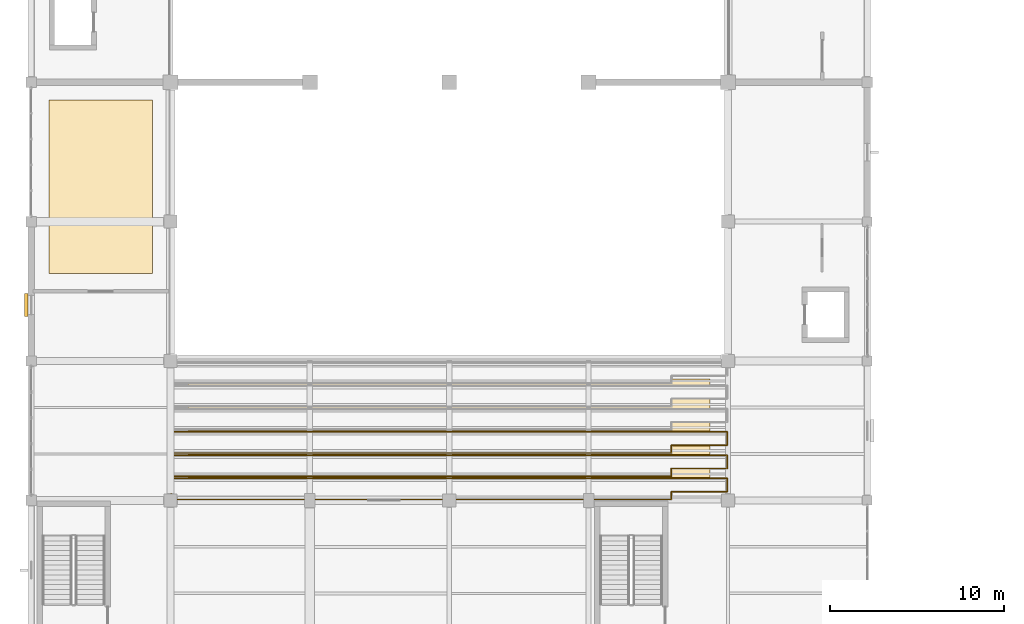
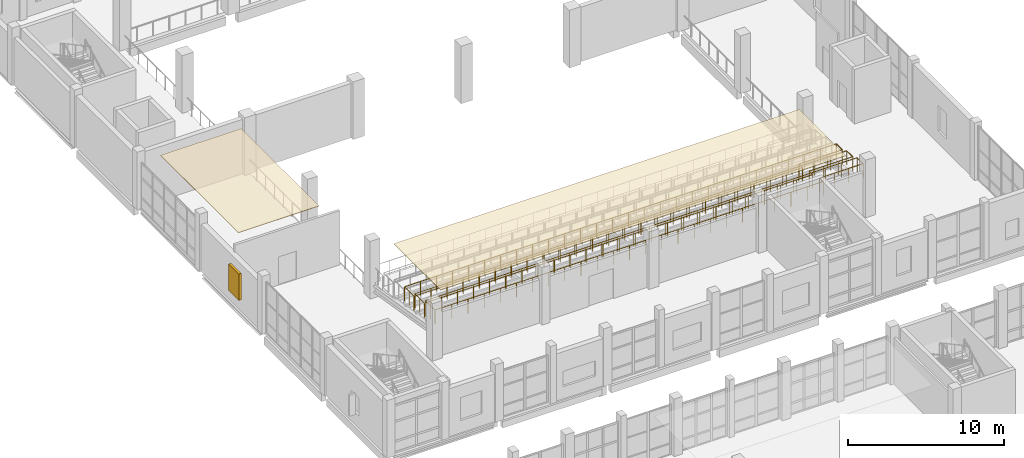
# One storey, part 168 of 183: 3 railings, 2 coverings, 1 shading device.
"""IFC4 building model written with IfcOpenShell, lengths in metres."""

import ifcopenshell
import ifcopenshell.guid

model = None  # the IFC model being written
_history = None  # IfcOwnerHistory: only IFC2X3 demands one
_inside = {}  # id of a spatial element -> (the spatial element, [elements in it])
_under = {}  # id of a project, library or spatial element -> (it, [spatial elements below it])
_declared = {}  # id of a project -> (the project, [libraries it declares])
_typed = {}  # id of a type object -> (the type object, [elements of that type])
_made_of = {}  # id of a material, layer set ... -> (it, [elements and type objects made of it])


def new_model(schema):
    """Start an empty IFC model of exactly this schema.

    Asked for "IFC4X3", IfcOpenShell would pick the latest addendum, in which some entities
    have other attributes; the version numbers below select the first issue.
    IFC2X3 requires an IfcOwnerHistory on every rooted entity: one is made here for all.
    """
    global model, _history
    if schema == "IFC4X3":
        model = ifcopenshell.file(schema_version=(4, 3, 0, 0))
    else:
        model = ifcopenshell.file(schema=schema)
    _inside.clear()
    _under.clear()
    _declared.clear()
    _typed.clear()
    _made_of.clear()
    _history = None
    if model.schema == "IFC2X3":
        org = make("IfcOrganization", Name="unknown")
        user = make(
            "IfcPersonAndOrganization",
            ThePerson=make("IfcPerson", FamilyName="unknown"),
            TheOrganization=org,
        )
        app = make(
            "IfcApplication",
            ApplicationDeveloper=org,
            Version="unknown",
            ApplicationFullName="unknown",
            ApplicationIdentifier="unknown",
        )
        _history = make(
            "IfcOwnerHistory",
            OwningUser=user,
            OwningApplication=app,
            ChangeAction="ADDED",
            CreationDate=0,
        )
    return model


def make(cls, **values):
    """One entity of the class cls with the attributes given. An attribute that is None is left unset."""
    return model.create_entity(
        cls, **{name: value for name, value in values.items() if value is not None}
    )


def rooted(cls, **values):
    """An entity with a GlobalId (a new one), such as an element, a storey or a relation."""
    return make(cls, GlobalId=ifcopenshell.guid.new(), OwnerHistory=_history, **values)


def si_unit(unit_type, name, prefix=None):
    """IfcSIUnit, for example si_unit("LENGTHUNIT", "METRE", prefix="MILLI")."""
    return make("IfcSIUnit", UnitType=unit_type, Prefix=prefix, Name=name)


def assignment(units):
    """IfcUnitAssignment: the units of a project."""
    return None if units is None else make("IfcUnitAssignment", Units=units)


def point(xyz):
    """IfcCartesianPoint."""
    return None if xyz is None else make("IfcCartesianPoint", Coordinates=xyz)


def direction(xyz):
    """IfcDirection."""
    return None if xyz is None else make("IfcDirection", DirectionRatios=xyz)


def frame(location, z_axis=None, x_axis=None):
    """IfcAxis2Placement3D, a coordinate frame: its origin and axes. An axis left out is left unset."""
    return make(
        "IfcAxis2Placement3D",
        Location=point(location),
        Axis=direction(z_axis),
        RefDirection=direction(x_axis),
    )


def frame_2d(location, x_axis=None):
    """IfcAxis2Placement2D, a coordinate frame in the plane: its origin and x axis."""
    return make(
        "IfcAxis2Placement2D", Location=point(location), RefDirection=direction(x_axis)
    )


def origin():
    """The frame at (0, 0, 0) with its axes left unset."""
    return frame((0.0, 0.0, 0.0))


def origin_2d():
    """The frame at (0, 0) in the plane with its x axis left unset."""
    return frame_2d((0.0, 0.0))


def place(relative_to, where):
    """IfcLocalPlacement: puts the frame where relative to a parent placement (None: the world)."""
    return make(
        "IfcLocalPlacement", PlacementRelTo=relative_to, RelativePlacement=where
    )


def context(
    kind, dimensions, precision=None, world=None, true_north=None, identifier=None
):
    """IfcGeometricRepresentationContext, for example the 3D "Model" context."""
    return make(
        "IfcGeometricRepresentationContext",
        ContextIdentifier=identifier,
        ContextType=kind,
        CoordinateSpaceDimension=dimensions,
        Precision=precision,
        WorldCoordinateSystem=world,
        TrueNorth=true_north,
    )


def subcontext(parent, identifier, kind, view, scale=None):
    """IfcGeometricRepresentationSubContext, for example "Body" below "Model"."""
    return make(
        "IfcGeometricRepresentationSubContext",
        ContextIdentifier=identifier,
        ContextType=kind,
        ParentContext=parent,
        TargetScale=scale,
        TargetView=view,
    )


def project(units=None, contexts=None):
    """IfcProject with its units and contexts."""
    return rooted(
        "IfcProject",
        Name="project",
        RepresentationContexts=contexts,
        UnitsInContext=assignment(units),
    )


def spatial(cls, under=None, at=None, **own):
    """A site, building, storey or space (cls), placed at a placement, below another one or the project."""
    s = rooted(cls, ObjectPlacement=at, **own)
    if under is not None:
        _under.setdefault(under.id(), (under, []))[1].append(s)
    return s


def polyline(points):
    """IfcPolyline through the points."""
    return make("IfcPolyline", Points=[point(p) for p in points])


def profile(cls, at=None, kind="AREA", **sizes):
    """A parametric profile (cls). Its sizes go by their IFC names, for example OverallWidth=200.0."""
    return make(cls, ProfileType=kind, Position=at, **sizes)


def rectangle(**sizes):
    """IfcRectangleProfileDef."""
    return profile("IfcRectangleProfileDef", **sizes)


def circle(**sizes):
    """IfcCircleProfileDef."""
    return profile("IfcCircleProfileDef", **sizes)


def outline(outer, holes=None, kind="AREA"):
    """IfcArbitraryClosedProfileDef: a profile drawn as a closed curve; with holes, ...WithVoids."""
    if holes is None:
        return make("IfcArbitraryClosedProfileDef", ProfileType=kind, OuterCurve=outer)
    return make(
        "IfcArbitraryProfileDefWithVoids",
        ProfileType=kind,
        OuterCurve=outer,
        InnerCurves=holes,
    )


def extrude(swept, where, along, depth):
    """IfcExtrudedAreaSolid: the profile swept, set in the frame where, extruded along a direction by depth."""
    return make(
        "IfcExtrudedAreaSolid",
        SweptArea=swept,
        Position=where,
        ExtrudedDirection=direction(along),
        Depth=depth,
    )


def shape(context_of_items, identifier, shape_type, items):
    """IfcShapeRepresentation: the items that make up one representation, for example the "Body"."""
    return make(
        "IfcShapeRepresentation",
        ContextOfItems=context_of_items,
        RepresentationIdentifier=identifier,
        RepresentationType=shape_type,
        Items=items,
    )


def material(Name=None, Category=None):
    """IfcMaterial."""
    return make("IfcMaterial", Name=Name, Category=Category)


def layer(
    of_material, thickness, ventilated=None, Name=None, Category=None, Priority=None
):
    """IfcMaterialLayer: one layer of a wall or slab, of a material (None: an air gap)."""
    return make(
        "IfcMaterialLayer",
        Material=of_material,
        LayerThickness=thickness,
        IsVentilated=ventilated,
        Name=Name,
        Category=Category,
        Priority=Priority,
    )


def layer_set(layers, Name=None):
    """IfcMaterialLayerSet."""
    return make("IfcMaterialLayerSet", MaterialLayers=layers, LayerSetName=Name)


def made_of(thing, what):
    """Note that an element or type object is made of a material, layer set ...; save() writes the relation."""
    if what is not None:
        _made_of.setdefault(what.id(), (what, []))[1].append(thing)
    return thing


def type_object(cls, material=None, **own):
    """A type object (cls), such as IfcWallType, which elements share."""
    return made_of(rooted(cls, **own), material)


def element(
    cls,
    number,
    at=None,
    inside=None,
    cuts=None,
    type_object=None,
    material=None,
    context=None,
    identifier="Body",
    shape_type=None,
    held_by="IfcProductDefinitionShape",
    body=None,
    shapes=None,
    **own,
):
    """One element of the class cls, such as IfcWall. Its Tag is "e" and its number.

    at: its placement. inside: the storey or other place that contains it. cuts: it is an
    opening in that element (IfcRelVoidsElement). A single representation is given by context,
    identifier, shape_type and body (its items); several are given by shapes. held_by: the class
    of the entity that holds the representations. save() writes the other relations.
    """
    e = rooted(cls, Tag="e%d" % number, ObjectPlacement=at, **own)
    if body is not None:
        shapes = [shape(context, identifier, shape_type, body)]
    if shapes is not None:
        e.Representation = make(held_by, Representations=shapes)
    if inside is not None:
        _inside.setdefault(inside.id(), (inside, []))[1].append(e)
    if cuts is not None:
        rooted(
            "IfcRelVoidsElement", RelatingBuildingElement=cuts, RelatedOpeningElement=e
        )
    if type_object is not None:
        _typed.setdefault(type_object.id(), (type_object, []))[1].append(e)
    return made_of(e, material)


def aggregate(whole, parts):
    """IfcRelAggregates: a whole, such as a stair, and the parts it consists of."""
    return rooted("IfcRelAggregates", RelatingObject=whole, RelatedObjects=parts)


def save(model, path):
    """Write the relations noted so far, then the file.

    IfcRelAggregates (storeys below a building ...), IfcRelContainedInSpatialStructure (elements
    in a storey), IfcRelDefinesByType, IfcRelAssociatesMaterial and IfcRelDeclares: one each for
    every whole, place, type object, material and project.
    """
    for whole, parts in _under.values():
        aggregate(whole, parts)
    for where, things in _inside.values():
        rooted(
            "IfcRelContainedInSpatialStructure",
            RelatedElements=things,
            RelatingStructure=where,
        )
    for kind, things in _typed.values():
        rooted("IfcRelDefinesByType", RelatedObjects=things, RelatingType=kind)
    for what, things in _made_of.values():
        rooted("IfcRelAssociatesMaterial", RelatedObjects=things, RelatingMaterial=what)
    for by, libraries in _declared.values():
        rooted("IfcRelDeclares", RelatingContext=by, RelatedDefinitions=libraries)
    model.write(path)


model = new_model("IFC4")

# Units and contexts
model_context = context("Model", 3, precision=1e-05, world=origin(), true_north=direction((0.0, 1.0)))
body_context = subcontext(model_context, "Body", "Model", "MODEL_VIEW")
ifc_project = project(units=[si_unit("LENGTHUNIT", "METRE"), si_unit("AREAUNIT", "SQUARE_METRE"), si_unit("VOLUMEUNIT", "CUBIC_METRE"), si_unit("PLANEANGLEUNIT", "RADIAN"), si_unit("MASSUNIT", "GRAM", prefix="KILO")], contexts=[model_context])

# Site, building, storey
site_placement = place(None, origin())
site = spatial("IfcSite", under=ifc_project, at=site_placement, CompositionType="ELEMENT")
building_placement = place(site_placement, origin())
building = spatial("IfcBuilding", under=site, at=building_placement, Name="Luwemba Playhouse", CompositionType="ELEMENT")
storey_placement = place(building_placement, frame((0.0, 0.0, 4.800048828125)))
storey = spatial("IfcBuildingStorey", under=building, at=storey_placement, Name="L01", CompositionType="ELEMENT", Elevation=4.800048828125)

# Coverings
ifc_material_1 = material(Name="Perforated acoustic gypsum and timber baffle ceiling", Category="wood")
ifc_layer = layer(ifc_material_1, 0.044921875)
ifc_layer_set = layer_set([ifc_layer], Name="Perforated acoustic gypsum and timber baffle ceiling")
covering_type = type_object("IfcCoveringType", Name="COV-CEIL-AC", PredefinedType="CEILING", material=ifc_layer_set)
covering_1_placement = place(storey_placement, frame((0.0, 0.0, 4.204833984375)))
element("IfcCovering", 1, at=covering_1_placement, inside=storey, type_object=covering_type, Name="L01 Dress Circle Seating Tier acoustic ceiling cloud", PredefinedType="CEILING", context=body_context, shape_type="SweptSolid", body=[
    extrude(outline(polyline([(13.02001953125, 45.02001953125), (42.97998046875, 45.02001953125), (42.97998046875, 50.97998046875), (13.02001953125, 50.97998046875), (13.02001953125, 45.02001953125)])), origin(), (0.0, 0.0, 1.0), 0.045166015625),
])
covering_2_placement = place(storey_placement, frame((0.0, 0.0, 4.204833984375)))
element("IfcCovering", 2, at=covering_2_placement, inside=storey, type_object=covering_type, Name="L01 Main Theatre Lighting and Sound Control Suite acoustic ceiling cloud", PredefinedType="CEILING", context=body_context, shape_type="SweptSolid", body=[
    extrude(outline(polyline([(5.02001953125, 57.02001953125), (10.97998046875, 57.02001953125), (10.97998046875, 66.97998046875), (5.02001953125, 66.97998046875), (5.02001953125, 57.02001953125)])), origin(), (0.0, 0.0, 1.0), 0.045166015625),
])

# Railings
ifc_material_2 = material(Name="Painted wrought-iron gallery balustrade", Category="steel")
railing_type = type_object("IfcRailingType", Name="RLG-BAL-INT", PredefinedType="BALUSTRADE", material=ifc_material_2)
railing_1_placement = place(storey_placement, frame((12.050048828125, 44.050048828125, 2.5)))
element("IfcRailing", 3, at=railing_1_placement, inside=storey, type_object=railing_type, Name="Stand Dress Circle Bay 1 perimeter balustrade", PredefinedType="BALUSTRADE", context=body_context, shape_type="SweptSolid", body=[
    extrude(circle(Radius=0.02392578125, at=origin_2d()), frame((0.0, 0.0, 1.09619140625), z_axis=(0.0, 1.0, 0.0), x_axis=(-1.0, 0.0, 0.0)), (0.0, 0.0, 1.0), 1.213134765625),
    extrude(circle(Radius=0.02392578125, at=origin_2d()), frame((0.0, 1.213134765625, 1.09619140625), z_axis=(1.0, 0.0, 0.0), x_axis=(0.0, 1.0, 0.0)), (0.0, 0.0, 1.0), 31.89990234375),
    extrude(circle(Radius=0.02392578125, at=origin_2d()), frame((31.89990234375, 1.213134765625, 1.09619140625), z_axis=(0.0, -1.0, 0.0), x_axis=(1.0, 0.0, 0.0)), (0.0, 0.0, 1.0), 0.76318359375),
    extrude(circle(Radius=0.02392578125, at=origin_2d()), frame((31.89990234375, 0.449951171875, 1.09619140625), z_axis=(-1.0, 0.0, 0.0), x_axis=(0.0, -1.0, 0.0)), (0.0, 0.0, 1.0), 3.199951171875),
    extrude(circle(Radius=0.02392578125, at=origin_2d()), frame((28.699951171875, 0.449951171875, 1.09619140625), z_axis=(0.0, -1.0, 0.0), x_axis=(1.0, 0.0, 0.0)), (0.0, 0.0, 1.0), 0.449951171875),
    extrude(circle(Radius=0.02392578125, at=origin_2d()), frame((28.699951171875, 0.0, 1.09619140625), z_axis=(-1.0, 0.0, 0.0), x_axis=(0.0, -1.0, 0.0)), (0.0, 0.0, 1.0), 28.639892578125),
    extrude(circle(Radius=0.02099609375, at=origin_2d()), origin(), (0.0, 0.0, 1.0), 1.072021484375),
    extrude(circle(Radius=0.02099609375, at=origin_2d()), frame((0.0, 0.6064453125, 0.0)), (0.0, 0.0, 1.0), 1.072021484375),
    extrude(circle(Radius=0.02099609375, at=origin_2d()), frame((0.0, 1.213134765625, 0.0)), (0.0, 0.0, 1.0), 1.072021484375),
    extrude(circle(Radius=0.02099609375, at=origin_2d()), frame((1.181396484375, 1.213134765625, 0.0)), (0.0, 0.0, 1.0), 1.072021484375),
    extrude(circle(Radius=0.02099609375, at=origin_2d()), frame((2.363037109375, 1.213134765625, 0.0)), (0.0, 0.0, 1.0), 1.072021484375),
    extrude(circle(Radius=0.02099609375, at=origin_2d()), frame((3.54443359375, 1.213134765625, 0.0)), (0.0, 0.0, 1.0), 1.072021484375),
    extrude(circle(Radius=0.02099609375, at=origin_2d()), frame((4.725830078125, 1.213134765625, 0.0)), (0.0, 0.0, 1.0), 1.072021484375),
    extrude(circle(Radius=0.02099609375, at=origin_2d()), frame((5.907470703125, 1.213134765625, 0.0)), (0.0, 0.0, 1.0), 1.072021484375),
    extrude(circle(Radius=0.02099609375, at=origin_2d()), frame((7.0888671875, 1.213134765625, 0.0)), (0.0, 0.0, 1.0), 1.072021484375),
    extrude(circle(Radius=0.02099609375, at=origin_2d()), frame((8.270263671875, 1.213134765625, 0.0)), (0.0, 0.0, 1.0), 1.072021484375),
    extrude(circle(Radius=0.02099609375, at=origin_2d()), frame((9.451904296875, 1.213134765625, 0.0)), (0.0, 0.0, 1.0), 1.072021484375),
    extrude(circle(Radius=0.02099609375, at=origin_2d()), frame((10.63330078125, 1.213134765625, 0.0)), (0.0, 0.0, 1.0), 1.072021484375),
    extrude(circle(Radius=0.02099609375, at=origin_2d()), frame((11.814697265625, 1.213134765625, 0.0)), (0.0, 0.0, 1.0), 1.072021484375),
    extrude(circle(Radius=0.02099609375, at=origin_2d()), frame((12.996337890625, 1.213134765625, 0.0)), (0.0, 0.0, 1.0), 1.072021484375),
    extrude(circle(Radius=0.02099609375, at=origin_2d()), frame((14.177734375, 1.213134765625, 0.0)), (0.0, 0.0, 1.0), 1.072021484375),
    extrude(circle(Radius=0.02099609375, at=origin_2d()), frame((15.359130859375, 1.213134765625, 0.0)), (0.0, 0.0, 1.0), 1.072021484375),
    extrude(circle(Radius=0.02099609375, at=origin_2d()), frame((16.540771484375, 1.213134765625, 0.0)), (0.0, 0.0, 1.0), 1.072021484375),
    extrude(circle(Radius=0.02099609375, at=origin_2d()), frame((17.72216796875, 1.213134765625, 0.0)), (0.0, 0.0, 1.0), 1.072021484375),
    extrude(circle(Radius=0.02099609375, at=origin_2d()), frame((18.903564453125, 1.213134765625, 0.0)), (0.0, 0.0, 1.0), 1.072021484375),
    extrude(circle(Radius=0.02099609375, at=origin_2d()), frame((20.085205078125, 1.213134765625, 0.0)), (0.0, 0.0, 1.0), 1.072021484375),
    extrude(circle(Radius=0.02099609375, at=origin_2d()), frame((21.2666015625, 1.213134765625, 0.0)), (0.0, 0.0, 1.0), 1.072021484375),
    extrude(circle(Radius=0.02099609375, at=origin_2d()), frame((22.447998046875, 1.213134765625, 0.0)), (0.0, 0.0, 1.0), 1.072021484375),
    extrude(circle(Radius=0.02099609375, at=origin_2d()), frame((23.629638671875, 1.213134765625, 0.0)), (0.0, 0.0, 1.0), 1.072021484375),
    extrude(circle(Radius=0.02099609375, at=origin_2d()), frame((24.81103515625, 1.213134765625, 0.0)), (0.0, 0.0, 1.0), 1.072021484375),
    extrude(circle(Radius=0.02099609375, at=origin_2d()), frame((25.992431640625, 1.213134765625, 0.0)), (0.0, 0.0, 1.0), 1.072021484375),
    extrude(circle(Radius=0.02099609375, at=origin_2d()), frame((27.174072265625, 1.213134765625, 0.0)), (0.0, 0.0, 1.0), 1.072021484375),
    extrude(circle(Radius=0.02099609375, at=origin_2d()), frame((28.35546875, 1.213134765625, 0.0)), (0.0, 0.0, 1.0), 1.072021484375),
    extrude(circle(Radius=0.02099609375, at=origin_2d()), frame((29.536865234375, 1.213134765625, 0.0)), (0.0, 0.0, 1.0), 1.072021484375),
    extrude(circle(Radius=0.02099609375, at=origin_2d()), frame((30.718505859375, 1.213134765625, 0.0)), (0.0, 0.0, 1.0), 1.072021484375),
    extrude(circle(Radius=0.02099609375, at=origin_2d()), frame((31.89990234375, 1.213134765625, 0.0)), (0.0, 0.0, 1.0), 1.072021484375),
    extrude(circle(Radius=0.02099609375, at=origin_2d()), frame((31.89990234375, 0.449951171875, 0.0)), (0.0, 0.0, 1.0), 1.072021484375),
    extrude(circle(Radius=0.02099609375, at=origin_2d()), frame((30.833251953125, 0.449951171875, 0.0)), (0.0, 0.0, 1.0), 1.072021484375),
    extrude(circle(Radius=0.02099609375, at=origin_2d()), frame((29.7666015625, 0.449951171875, 0.0)), (0.0, 0.0, 1.0), 1.072021484375),
    extrude(circle(Radius=0.02099609375, at=origin_2d()), frame((28.699951171875, 0.449951171875, 0.0)), (0.0, 0.0, 1.0), 1.072021484375),
    extrude(circle(Radius=0.02099609375, at=origin_2d()), frame((28.699951171875, 0.0, 0.0)), (0.0, 0.0, 1.0), 1.072021484375),
    extrude(circle(Radius=0.02099609375, at=origin_2d()), frame((27.506591796875, 0.0, 0.0)), (0.0, 0.0, 1.0), 1.072021484375),
    extrude(circle(Radius=0.02099609375, at=origin_2d()), frame((26.313232421875, 0.0, 0.0)), (0.0, 0.0, 1.0), 1.072021484375),
    extrude(circle(Radius=0.02099609375, at=origin_2d()), frame((25.119873046875, 0.0, 0.0)), (0.0, 0.0, 1.0), 1.072021484375),
    extrude(circle(Radius=0.02099609375, at=origin_2d()), frame((23.9267578125, 0.0, 0.0)), (0.0, 0.0, 1.0), 1.072021484375),
    extrude(circle(Radius=0.02099609375, at=origin_2d()), frame((22.7333984375, 0.0, 0.0)), (0.0, 0.0, 1.0), 1.072021484375),
    extrude(circle(Radius=0.02099609375, at=origin_2d()), frame((21.5400390625, 0.0, 0.0)), (0.0, 0.0, 1.0), 1.072021484375),
    extrude(circle(Radius=0.02099609375, at=origin_2d()), frame((20.3466796875, 0.0, 0.0)), (0.0, 0.0, 1.0), 1.072021484375),
    extrude(circle(Radius=0.02099609375, at=origin_2d()), frame((19.1533203125, 0.0, 0.0)), (0.0, 0.0, 1.0), 1.072021484375),
    extrude(circle(Radius=0.02099609375, at=origin_2d()), frame((17.9599609375, 0.0, 0.0)), (0.0, 0.0, 1.0), 1.072021484375),
    extrude(circle(Radius=0.02099609375, at=origin_2d()), frame((16.7666015625, 0.0, 0.0)), (0.0, 0.0, 1.0), 1.072021484375),
    extrude(circle(Radius=0.02099609375, at=origin_2d()), frame((15.5732421875, 0.0, 0.0)), (0.0, 0.0, 1.0), 1.072021484375),
    extrude(circle(Radius=0.02099609375, at=origin_2d()), frame((14.3798828125, 0.0, 0.0)), (0.0, 0.0, 1.0), 1.072021484375),
    extrude(circle(Radius=0.02099609375, at=origin_2d()), frame((13.186767578125, 0.0, 0.0)), (0.0, 0.0, 1.0), 1.072021484375),
    extrude(circle(Radius=0.02099609375, at=origin_2d()), frame((11.993408203125, 0.0, 0.0)), (0.0, 0.0, 1.0), 1.072021484375),
    extrude(circle(Radius=0.02099609375, at=origin_2d()), frame((10.800048828125, 0.0, 0.0)), (0.0, 0.0, 1.0), 1.072021484375),
    extrude(circle(Radius=0.02099609375, at=origin_2d()), frame((9.606689453125, 0.0, 0.0)), (0.0, 0.0, 1.0), 1.072021484375),
    extrude(circle(Radius=0.02099609375, at=origin_2d()), frame((8.413330078125, 0.0, 0.0)), (0.0, 0.0, 1.0), 1.072021484375),
    extrude(circle(Radius=0.02099609375, at=origin_2d()), frame((7.219970703125, 0.0, 0.0)), (0.0, 0.0, 1.0), 1.072021484375),
    extrude(circle(Radius=0.02099609375, at=origin_2d()), frame((6.026611328125, 0.0, 0.0)), (0.0, 0.0, 1.0), 1.072021484375),
    extrude(circle(Radius=0.02099609375, at=origin_2d()), frame((4.83349609375, 0.0, 0.0)), (0.0, 0.0, 1.0), 1.072021484375),
    extrude(circle(Radius=0.02099609375, at=origin_2d()), frame((3.64013671875, 0.0, 0.0)), (0.0, 0.0, 1.0), 1.072021484375),
    extrude(circle(Radius=0.02099609375, at=origin_2d()), frame((2.44677734375, 0.0, 0.0)), (0.0, 0.0, 1.0), 1.072021484375),
    extrude(circle(Radius=0.02099609375, at=origin_2d()), frame((1.25341796875, 0.0, 0.0)), (0.0, 0.0, 1.0), 1.072021484375),
    extrude(circle(Radius=0.02099609375, at=origin_2d()), frame((0.06005859375, 0.0, 0.0)), (0.0, 0.0, 1.0), 1.072021484375),
])
railing_2_placement = place(storey_placement, frame((12.050048828125, 45.38330078125, 2.233154296875)))
element("IfcRailing", 4, at=railing_2_placement, inside=storey, type_object=railing_type, Name="Stand Dress Circle Bay 2 perimeter balustrade", PredefinedType="BALUSTRADE", context=body_context, shape_type="SweptSolid", body=[
    extrude(circle(Radius=0.02392578125, at=origin_2d()), frame((0.0, 0.0, 1.09619140625), z_axis=(0.0, 1.0, 0.0), x_axis=(-1.0, 0.0, 0.0)), (0.0, 0.0, 1.0), 1.21337890625),
    extrude(circle(Radius=0.02392578125, at=origin_2d()), frame((0.0, 1.21337890625, 1.09619140625), z_axis=(1.0, 0.0, 0.0), x_axis=(0.0, 1.0, 0.0)), (0.0, 0.0, 1.0), 31.89990234375),
    extrude(circle(Radius=0.02392578125, at=origin_2d()), frame((31.89990234375, 1.21337890625, 1.09619140625), z_axis=(0.0, -1.0, 0.0), x_axis=(1.0, 0.0, 0.0)), (0.0, 0.0, 1.0), 0.763427734375),
    extrude(circle(Radius=0.02392578125, at=origin_2d()), frame((31.89990234375, 0.449951171875, 1.09619140625), z_axis=(-1.0, 0.0, 0.0), x_axis=(0.0, -1.0, 0.0)), (0.0, 0.0, 1.0), 3.199951171875),
    extrude(circle(Radius=0.02392578125, at=origin_2d()), frame((28.699951171875, 0.449951171875, 1.09619140625), z_axis=(0.0, -1.0, 0.0), x_axis=(1.0, 0.0, 0.0)), (0.0, 0.0, 1.0), 0.449951171875),
    extrude(circle(Radius=0.02392578125, at=origin_2d()), frame((28.699951171875, 0.0, 1.09619140625), z_axis=(-1.0, 0.0, 0.0), x_axis=(0.0, -1.0, 0.0)), (0.0, 0.0, 1.0), 28.639892578125),
    extrude(circle(Radius=0.02099609375, at=origin_2d()), origin(), (0.0, 0.0, 1.0), 1.072021484375),
    extrude(circle(Radius=0.02099609375, at=origin_2d()), frame((0.0, 0.606689453125, 0.0)), (0.0, 0.0, 1.0), 1.072021484375),
    extrude(circle(Radius=0.02099609375, at=origin_2d()), frame((0.0, 1.21337890625, 0.0)), (0.0, 0.0, 1.0), 1.072021484375),
    extrude(circle(Radius=0.02099609375, at=origin_2d()), frame((1.181396484375, 1.21337890625, 0.0)), (0.0, 0.0, 1.0), 1.072021484375),
    extrude(circle(Radius=0.02099609375, at=origin_2d()), frame((2.363037109375, 1.21337890625, 0.0)), (0.0, 0.0, 1.0), 1.072021484375),
    extrude(circle(Radius=0.02099609375, at=origin_2d()), frame((3.54443359375, 1.21337890625, 0.0)), (0.0, 0.0, 1.0), 1.072021484375),
    extrude(circle(Radius=0.02099609375, at=origin_2d()), frame((4.725830078125, 1.21337890625, 0.0)), (0.0, 0.0, 1.0), 1.072021484375),
    extrude(circle(Radius=0.02099609375, at=origin_2d()), frame((5.907470703125, 1.21337890625, 0.0)), (0.0, 0.0, 1.0), 1.072021484375),
    extrude(circle(Radius=0.02099609375, at=origin_2d()), frame((7.0888671875, 1.21337890625, 0.0)), (0.0, 0.0, 1.0), 1.072021484375),
    extrude(circle(Radius=0.02099609375, at=origin_2d()), frame((8.270263671875, 1.21337890625, 0.0)), (0.0, 0.0, 1.0), 1.072021484375),
    extrude(circle(Radius=0.02099609375, at=origin_2d()), frame((9.451904296875, 1.21337890625, 0.0)), (0.0, 0.0, 1.0), 1.072021484375),
    extrude(circle(Radius=0.02099609375, at=origin_2d()), frame((10.63330078125, 1.21337890625, 0.0)), (0.0, 0.0, 1.0), 1.072021484375),
    extrude(circle(Radius=0.02099609375, at=origin_2d()), frame((11.814697265625, 1.21337890625, 0.0)), (0.0, 0.0, 1.0), 1.072021484375),
    extrude(circle(Radius=0.02099609375, at=origin_2d()), frame((12.996337890625, 1.21337890625, 0.0)), (0.0, 0.0, 1.0), 1.072021484375),
    extrude(circle(Radius=0.02099609375, at=origin_2d()), frame((14.177734375, 1.21337890625, 0.0)), (0.0, 0.0, 1.0), 1.072021484375),
    extrude(circle(Radius=0.02099609375, at=origin_2d()), frame((15.359130859375, 1.21337890625, 0.0)), (0.0, 0.0, 1.0), 1.072021484375),
    extrude(circle(Radius=0.02099609375, at=origin_2d()), frame((16.540771484375, 1.21337890625, 0.0)), (0.0, 0.0, 1.0), 1.072021484375),
    extrude(circle(Radius=0.02099609375, at=origin_2d()), frame((17.72216796875, 1.21337890625, 0.0)), (0.0, 0.0, 1.0), 1.072021484375),
    extrude(circle(Radius=0.02099609375, at=origin_2d()), frame((18.903564453125, 1.21337890625, 0.0)), (0.0, 0.0, 1.0), 1.072021484375),
    extrude(circle(Radius=0.02099609375, at=origin_2d()), frame((20.085205078125, 1.21337890625, 0.0)), (0.0, 0.0, 1.0), 1.072021484375),
    extrude(circle(Radius=0.02099609375, at=origin_2d()), frame((21.2666015625, 1.21337890625, 0.0)), (0.0, 0.0, 1.0), 1.072021484375),
    extrude(circle(Radius=0.02099609375, at=origin_2d()), frame((22.447998046875, 1.21337890625, 0.0)), (0.0, 0.0, 1.0), 1.072021484375),
    extrude(circle(Radius=0.02099609375, at=origin_2d()), frame((23.629638671875, 1.21337890625, 0.0)), (0.0, 0.0, 1.0), 1.072021484375),
    extrude(circle(Radius=0.02099609375, at=origin_2d()), frame((24.81103515625, 1.21337890625, 0.0)), (0.0, 0.0, 1.0), 1.072021484375),
    extrude(circle(Radius=0.02099609375, at=origin_2d()), frame((25.992431640625, 1.21337890625, 0.0)), (0.0, 0.0, 1.0), 1.072021484375),
    extrude(circle(Radius=0.02099609375, at=origin_2d()), frame((27.174072265625, 1.21337890625, 0.0)), (0.0, 0.0, 1.0), 1.072021484375),
    extrude(circle(Radius=0.02099609375, at=origin_2d()), frame((28.35546875, 1.21337890625, 0.0)), (0.0, 0.0, 1.0), 1.072021484375),
    extrude(circle(Radius=0.02099609375, at=origin_2d()), frame((29.536865234375, 1.21337890625, 0.0)), (0.0, 0.0, 1.0), 1.072021484375),
    extrude(circle(Radius=0.02099609375, at=origin_2d()), frame((30.718505859375, 1.21337890625, 0.0)), (0.0, 0.0, 1.0), 1.072021484375),
    extrude(circle(Radius=0.02099609375, at=origin_2d()), frame((31.89990234375, 1.21337890625, 0.0)), (0.0, 0.0, 1.0), 1.072021484375),
    extrude(circle(Radius=0.02099609375, at=origin_2d()), frame((31.89990234375, 0.449951171875, 0.0)), (0.0, 0.0, 1.0), 1.072021484375),
    extrude(circle(Radius=0.02099609375, at=origin_2d()), frame((30.833251953125, 0.449951171875, 0.0)), (0.0, 0.0, 1.0), 1.072021484375),
    extrude(circle(Radius=0.02099609375, at=origin_2d()), frame((29.7666015625, 0.449951171875, 0.0)), (0.0, 0.0, 1.0), 1.072021484375),
    extrude(circle(Radius=0.02099609375, at=origin_2d()), frame((28.699951171875, 0.449951171875, 0.0)), (0.0, 0.0, 1.0), 1.072021484375),
    extrude(circle(Radius=0.02099609375, at=origin_2d()), frame((28.699951171875, 0.0, 0.0)), (0.0, 0.0, 1.0), 1.072021484375),
    extrude(circle(Radius=0.02099609375, at=origin_2d()), frame((27.506591796875, 0.0, 0.0)), (0.0, 0.0, 1.0), 1.072021484375),
    extrude(circle(Radius=0.02099609375, at=origin_2d()), frame((26.313232421875, 0.0, 0.0)), (0.0, 0.0, 1.0), 1.072021484375),
    extrude(circle(Radius=0.02099609375, at=origin_2d()), frame((25.119873046875, 0.0, 0.0)), (0.0, 0.0, 1.0), 1.072021484375),
    extrude(circle(Radius=0.02099609375, at=origin_2d()), frame((23.9267578125, 0.0, 0.0)), (0.0, 0.0, 1.0), 1.072021484375),
    extrude(circle(Radius=0.02099609375, at=origin_2d()), frame((22.7333984375, 0.0, 0.0)), (0.0, 0.0, 1.0), 1.072021484375),
    extrude(circle(Radius=0.02099609375, at=origin_2d()), frame((21.5400390625, 0.0, 0.0)), (0.0, 0.0, 1.0), 1.072021484375),
    extrude(circle(Radius=0.02099609375, at=origin_2d()), frame((20.3466796875, 0.0, 0.0)), (0.0, 0.0, 1.0), 1.072021484375),
    extrude(circle(Radius=0.02099609375, at=origin_2d()), frame((19.1533203125, 0.0, 0.0)), (0.0, 0.0, 1.0), 1.072021484375),
    extrude(circle(Radius=0.02099609375, at=origin_2d()), frame((17.9599609375, 0.0, 0.0)), (0.0, 0.0, 1.0), 1.072021484375),
    extrude(circle(Radius=0.02099609375, at=origin_2d()), frame((16.7666015625, 0.0, 0.0)), (0.0, 0.0, 1.0), 1.072021484375),
    extrude(circle(Radius=0.02099609375, at=origin_2d()), frame((15.5732421875, 0.0, 0.0)), (0.0, 0.0, 1.0), 1.072021484375),
    extrude(circle(Radius=0.02099609375, at=origin_2d()), frame((14.3798828125, 0.0, 0.0)), (0.0, 0.0, 1.0), 1.072021484375),
    extrude(circle(Radius=0.02099609375, at=origin_2d()), frame((13.186767578125, 0.0, 0.0)), (0.0, 0.0, 1.0), 1.072021484375),
    extrude(circle(Radius=0.02099609375, at=origin_2d()), frame((11.993408203125, 0.0, 0.0)), (0.0, 0.0, 1.0), 1.072021484375),
    extrude(circle(Radius=0.02099609375, at=origin_2d()), frame((10.800048828125, 0.0, 0.0)), (0.0, 0.0, 1.0), 1.072021484375),
    extrude(circle(Radius=0.02099609375, at=origin_2d()), frame((9.606689453125, 0.0, 0.0)), (0.0, 0.0, 1.0), 1.072021484375),
    extrude(circle(Radius=0.02099609375, at=origin_2d()), frame((8.413330078125, 0.0, 0.0)), (0.0, 0.0, 1.0), 1.072021484375),
    extrude(circle(Radius=0.02099609375, at=origin_2d()), frame((7.219970703125, 0.0, 0.0)), (0.0, 0.0, 1.0), 1.072021484375),
    extrude(circle(Radius=0.02099609375, at=origin_2d()), frame((6.026611328125, 0.0, 0.0)), (0.0, 0.0, 1.0), 1.072021484375),
    extrude(circle(Radius=0.02099609375, at=origin_2d()), frame((4.83349609375, 0.0, 0.0)), (0.0, 0.0, 1.0), 1.072021484375),
    extrude(circle(Radius=0.02099609375, at=origin_2d()), frame((3.64013671875, 0.0, 0.0)), (0.0, 0.0, 1.0), 1.072021484375),
    extrude(circle(Radius=0.02099609375, at=origin_2d()), frame((2.44677734375, 0.0, 0.0)), (0.0, 0.0, 1.0), 1.072021484375),
    extrude(circle(Radius=0.02099609375, at=origin_2d()), frame((1.25341796875, 0.0, 0.0)), (0.0, 0.0, 1.0), 1.072021484375),
    extrude(circle(Radius=0.02099609375, at=origin_2d()), frame((0.06005859375, 0.0, 0.0)), (0.0, 0.0, 1.0), 1.072021484375),
])
railing_3_placement = place(storey_placement, frame((12.050048828125, 46.716796875, 1.966552734375)))
element("IfcRailing", 5, at=railing_3_placement, inside=storey, type_object=railing_type, Name="Stand Dress Circle Bay 3 perimeter balustrade", PredefinedType="BALUSTRADE", context=body_context, shape_type="SweptSolid", body=[
    extrude(circle(Radius=0.02392578125, at=origin_2d()), frame((0.0, 0.0, 1.09619140625), z_axis=(0.0, 1.0, 0.0), x_axis=(-1.0, 0.0, 0.0)), (0.0, 0.0, 1.0), 1.213134765625),
    extrude(circle(Radius=0.02392578125, at=origin_2d()), frame((0.0, 1.213134765625, 1.09619140625), z_axis=(1.0, 0.0, 0.0), x_axis=(0.0, 1.0, 0.0)), (0.0, 0.0, 1.0), 31.89990234375),
    extrude(circle(Radius=0.02392578125, at=origin_2d()), frame((31.89990234375, 1.213134765625, 1.09619140625), z_axis=(0.0, -1.0, 0.0), x_axis=(1.0, 0.0, 0.0)), (0.0, 0.0, 1.0), 0.76318359375),
    extrude(circle(Radius=0.02392578125, at=origin_2d()), frame((31.89990234375, 0.449951171875, 1.09619140625), z_axis=(-1.0, 0.0, 0.0), x_axis=(0.0, -1.0, 0.0)), (0.0, 0.0, 1.0), 3.199951171875),
    extrude(circle(Radius=0.02392578125, at=origin_2d()), frame((28.699951171875, 0.449951171875, 1.09619140625), z_axis=(0.0, -1.0, 0.0), x_axis=(1.0, 0.0, 0.0)), (0.0, 0.0, 1.0), 0.449951171875),
    extrude(circle(Radius=0.02392578125, at=origin_2d()), frame((28.699951171875, 0.0, 1.09619140625), z_axis=(-1.0, 0.0, 0.0), x_axis=(0.0, -1.0, 0.0)), (0.0, 0.0, 1.0), 28.639892578125),
    extrude(circle(Radius=0.02099609375, at=origin_2d()), origin(), (0.0, 0.0, 1.0), 1.072021484375),
    extrude(circle(Radius=0.02099609375, at=origin_2d()), frame((0.0, 0.6064453125, 0.0)), (0.0, 0.0, 1.0), 1.072021484375),
    extrude(circle(Radius=0.02099609375, at=origin_2d()), frame((0.0, 1.213134765625, 0.0)), (0.0, 0.0, 1.0), 1.072021484375),
    extrude(circle(Radius=0.02099609375, at=origin_2d()), frame((1.181396484375, 1.213134765625, 0.0)), (0.0, 0.0, 1.0), 1.072021484375),
    extrude(circle(Radius=0.02099609375, at=origin_2d()), frame((2.363037109375, 1.213134765625, 0.0)), (0.0, 0.0, 1.0), 1.072021484375),
    extrude(circle(Radius=0.02099609375, at=origin_2d()), frame((3.54443359375, 1.213134765625, 0.0)), (0.0, 0.0, 1.0), 1.072021484375),
    extrude(circle(Radius=0.02099609375, at=origin_2d()), frame((4.725830078125, 1.213134765625, 0.0)), (0.0, 0.0, 1.0), 1.072021484375),
    extrude(circle(Radius=0.02099609375, at=origin_2d()), frame((5.907470703125, 1.213134765625, 0.0)), (0.0, 0.0, 1.0), 1.072021484375),
    extrude(circle(Radius=0.02099609375, at=origin_2d()), frame((7.0888671875, 1.213134765625, 0.0)), (0.0, 0.0, 1.0), 1.072021484375),
    extrude(circle(Radius=0.02099609375, at=origin_2d()), frame((8.270263671875, 1.213134765625, 0.0)), (0.0, 0.0, 1.0), 1.072021484375),
    extrude(circle(Radius=0.02099609375, at=origin_2d()), frame((9.451904296875, 1.213134765625, 0.0)), (0.0, 0.0, 1.0), 1.072021484375),
    extrude(circle(Radius=0.02099609375, at=origin_2d()), frame((10.63330078125, 1.213134765625, 0.0)), (0.0, 0.0, 1.0), 1.072021484375),
    extrude(circle(Radius=0.02099609375, at=origin_2d()), frame((11.814697265625, 1.213134765625, 0.0)), (0.0, 0.0, 1.0), 1.072021484375),
    extrude(circle(Radius=0.02099609375, at=origin_2d()), frame((12.996337890625, 1.213134765625, 0.0)), (0.0, 0.0, 1.0), 1.072021484375),
    extrude(circle(Radius=0.02099609375, at=origin_2d()), frame((14.177734375, 1.213134765625, 0.0)), (0.0, 0.0, 1.0), 1.072021484375),
    extrude(circle(Radius=0.02099609375, at=origin_2d()), frame((15.359130859375, 1.213134765625, 0.0)), (0.0, 0.0, 1.0), 1.072021484375),
    extrude(circle(Radius=0.02099609375, at=origin_2d()), frame((16.540771484375, 1.213134765625, 0.0)), (0.0, 0.0, 1.0), 1.072021484375),
    extrude(circle(Radius=0.02099609375, at=origin_2d()), frame((17.72216796875, 1.213134765625, 0.0)), (0.0, 0.0, 1.0), 1.072021484375),
    extrude(circle(Radius=0.02099609375, at=origin_2d()), frame((18.903564453125, 1.213134765625, 0.0)), (0.0, 0.0, 1.0), 1.072021484375),
    extrude(circle(Radius=0.02099609375, at=origin_2d()), frame((20.085205078125, 1.213134765625, 0.0)), (0.0, 0.0, 1.0), 1.072021484375),
    extrude(circle(Radius=0.02099609375, at=origin_2d()), frame((21.2666015625, 1.213134765625, 0.0)), (0.0, 0.0, 1.0), 1.072021484375),
    extrude(circle(Radius=0.02099609375, at=origin_2d()), frame((22.447998046875, 1.213134765625, 0.0)), (0.0, 0.0, 1.0), 1.072021484375),
    extrude(circle(Radius=0.02099609375, at=origin_2d()), frame((23.629638671875, 1.213134765625, 0.0)), (0.0, 0.0, 1.0), 1.072021484375),
    extrude(circle(Radius=0.02099609375, at=origin_2d()), frame((24.81103515625, 1.213134765625, 0.0)), (0.0, 0.0, 1.0), 1.072021484375),
    extrude(circle(Radius=0.02099609375, at=origin_2d()), frame((25.992431640625, 1.213134765625, 0.0)), (0.0, 0.0, 1.0), 1.072021484375),
    extrude(circle(Radius=0.02099609375, at=origin_2d()), frame((27.174072265625, 1.213134765625, 0.0)), (0.0, 0.0, 1.0), 1.072021484375),
    extrude(circle(Radius=0.02099609375, at=origin_2d()), frame((28.35546875, 1.213134765625, 0.0)), (0.0, 0.0, 1.0), 1.072021484375),
    extrude(circle(Radius=0.02099609375, at=origin_2d()), frame((29.536865234375, 1.213134765625, 0.0)), (0.0, 0.0, 1.0), 1.072021484375),
    extrude(circle(Radius=0.02099609375, at=origin_2d()), frame((30.718505859375, 1.213134765625, 0.0)), (0.0, 0.0, 1.0), 1.072021484375),
    extrude(circle(Radius=0.02099609375, at=origin_2d()), frame((31.89990234375, 1.213134765625, 0.0)), (0.0, 0.0, 1.0), 1.072021484375),
    extrude(circle(Radius=0.02099609375, at=origin_2d()), frame((31.89990234375, 0.449951171875, 0.0)), (0.0, 0.0, 1.0), 1.072021484375),
    extrude(circle(Radius=0.02099609375, at=origin_2d()), frame((30.833251953125, 0.449951171875, 0.0)), (0.0, 0.0, 1.0), 1.072021484375),
    extrude(circle(Radius=0.02099609375, at=origin_2d()), frame((29.7666015625, 0.449951171875, 0.0)), (0.0, 0.0, 1.0), 1.072021484375),
    extrude(circle(Radius=0.02099609375, at=origin_2d()), frame((28.699951171875, 0.449951171875, 0.0)), (0.0, 0.0, 1.0), 1.072021484375),
    extrude(circle(Radius=0.02099609375, at=origin_2d()), frame((28.699951171875, 0.0, 0.0)), (0.0, 0.0, 1.0), 1.072021484375),
    extrude(circle(Radius=0.02099609375, at=origin_2d()), frame((27.506591796875, 0.0, 0.0)), (0.0, 0.0, 1.0), 1.072021484375),
    extrude(circle(Radius=0.02099609375, at=origin_2d()), frame((26.313232421875, 0.0, 0.0)), (0.0, 0.0, 1.0), 1.072021484375),
    extrude(circle(Radius=0.02099609375, at=origin_2d()), frame((25.119873046875, 0.0, 0.0)), (0.0, 0.0, 1.0), 1.072021484375),
    extrude(circle(Radius=0.02099609375, at=origin_2d()), frame((23.9267578125, 0.0, 0.0)), (0.0, 0.0, 1.0), 1.072021484375),
    extrude(circle(Radius=0.02099609375, at=origin_2d()), frame((22.7333984375, 0.0, 0.0)), (0.0, 0.0, 1.0), 1.072021484375),
    extrude(circle(Radius=0.02099609375, at=origin_2d()), frame((21.5400390625, 0.0, 0.0)), (0.0, 0.0, 1.0), 1.072021484375),
    extrude(circle(Radius=0.02099609375, at=origin_2d()), frame((20.3466796875, 0.0, 0.0)), (0.0, 0.0, 1.0), 1.072021484375),
    extrude(circle(Radius=0.02099609375, at=origin_2d()), frame((19.1533203125, 0.0, 0.0)), (0.0, 0.0, 1.0), 1.072021484375),
    extrude(circle(Radius=0.02099609375, at=origin_2d()), frame((17.9599609375, 0.0, 0.0)), (0.0, 0.0, 1.0), 1.072021484375),
    extrude(circle(Radius=0.02099609375, at=origin_2d()), frame((16.7666015625, 0.0, 0.0)), (0.0, 0.0, 1.0), 1.072021484375),
    extrude(circle(Radius=0.02099609375, at=origin_2d()), frame((15.5732421875, 0.0, 0.0)), (0.0, 0.0, 1.0), 1.072021484375),
    extrude(circle(Radius=0.02099609375, at=origin_2d()), frame((14.3798828125, 0.0, 0.0)), (0.0, 0.0, 1.0), 1.072021484375),
    extrude(circle(Radius=0.02099609375, at=origin_2d()), frame((13.186767578125, 0.0, 0.0)), (0.0, 0.0, 1.0), 1.072021484375),
    extrude(circle(Radius=0.02099609375, at=origin_2d()), frame((11.993408203125, 0.0, 0.0)), (0.0, 0.0, 1.0), 1.072021484375),
    extrude(circle(Radius=0.02099609375, at=origin_2d()), frame((10.800048828125, 0.0, 0.0)), (0.0, 0.0, 1.0), 1.072021484375),
    extrude(circle(Radius=0.02099609375, at=origin_2d()), frame((9.606689453125, 0.0, 0.0)), (0.0, 0.0, 1.0), 1.072021484375),
    extrude(circle(Radius=0.02099609375, at=origin_2d()), frame((8.413330078125, 0.0, 0.0)), (0.0, 0.0, 1.0), 1.072021484375),
    extrude(circle(Radius=0.02099609375, at=origin_2d()), frame((7.219970703125, 0.0, 0.0)), (0.0, 0.0, 1.0), 1.072021484375),
    extrude(circle(Radius=0.02099609375, at=origin_2d()), frame((6.026611328125, 0.0, 0.0)), (0.0, 0.0, 1.0), 1.072021484375),
    extrude(circle(Radius=0.02099609375, at=origin_2d()), frame((4.83349609375, 0.0, 0.0)), (0.0, 0.0, 1.0), 1.072021484375),
    extrude(circle(Radius=0.02099609375, at=origin_2d()), frame((3.64013671875, 0.0, 0.0)), (0.0, 0.0, 1.0), 1.072021484375),
    extrude(circle(Radius=0.02099609375, at=origin_2d()), frame((2.44677734375, 0.0, 0.0)), (0.0, 0.0, 1.0), 1.072021484375),
    extrude(circle(Radius=0.02099609375, at=origin_2d()), frame((1.25341796875, 0.0, 0.0)), (0.0, 0.0, 1.0), 1.072021484375),
    extrude(circle(Radius=0.02099609375, at=origin_2d()), frame((0.06005859375, 0.0, 0.0)), (0.0, 0.0, 1.0), 1.072021484375),
])

# Shading device
ifc_material_3 = material(Name="Kiln-fired terracotta gelosia louvre screen", Category="masonry")
shading_device_type = type_object("IfcShadingDeviceType", Name="SHD-GELOSIA", PredefinedType="JALOUSIE", material=ifc_material_3)
shading_device_placement = place(storey_placement, frame((3.72509765625, 55.2099609375, 0.9248046875), z_axis=(0.0, 0.0, 1.0), x_axis=(0.0, 1.0, 0.0)))
element("IfcShadingDevice", 6, at=shading_device_placement, inside=storey, type_object=shading_device_type, Name="L01 fired-clay gelosia screen 020", PredefinedType="JALOUSIE", context=body_context, shape_type="SweptSolid", body=[
    extrude(rectangle(XDim=1.300048828125, YDim=0.179931640625, at=origin_2d()), origin(), (0.0, 0.0, 1.0), 2.050048828125),
])

save(model, "model.ifc")
